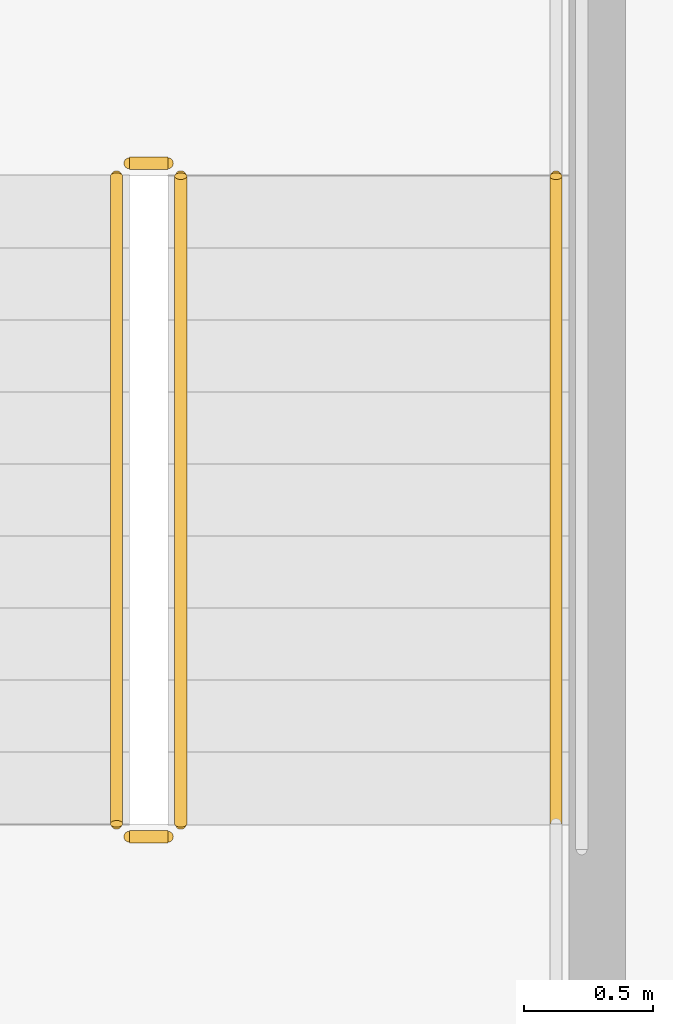
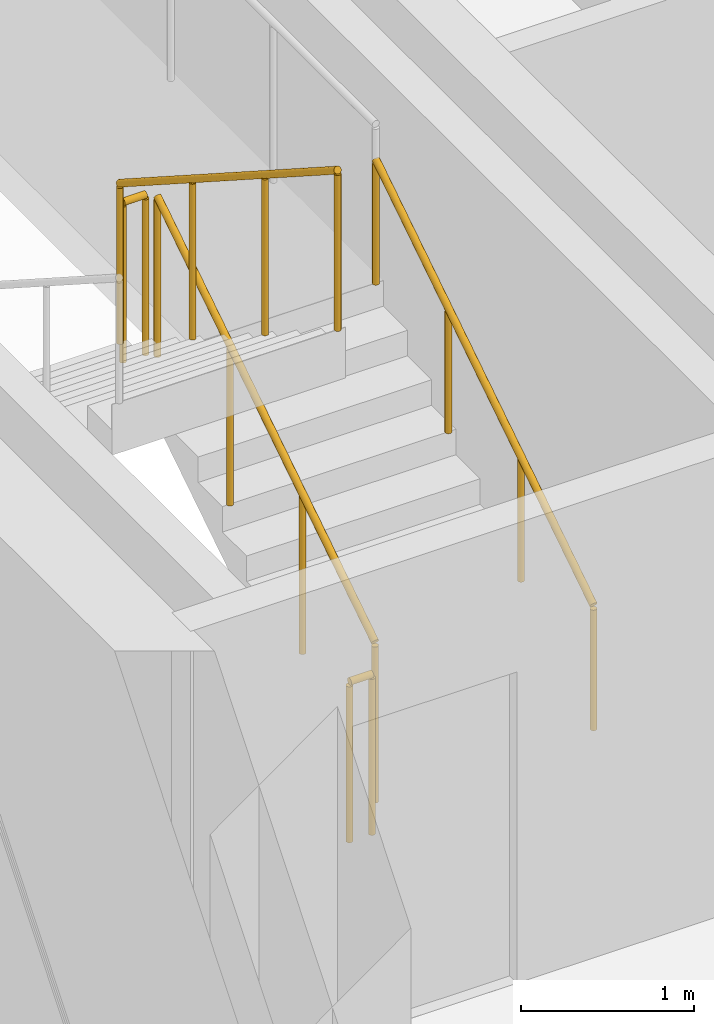
# One storey, part 13 of 15: 5 railings.
"""IFC4 building model written with IfcOpenShell, lengths in metres."""

from ifc_helpers import new_model, si_unit, direction, frame, origin, origin_2d, place, context, subcontext, project, spatial, circle, extrude, material, type_object, element, save


model = new_model("IFC4")

# Units and contexts
model_context = context("Model", 3, precision=1e-05, world=origin(), true_north=direction((0.0, 1.0)))
body_context = subcontext(model_context, "Body", "Model", "MODEL_VIEW")
ifc_project = project(units=[si_unit("LENGTHUNIT", "METRE"), si_unit("AREAUNIT", "SQUARE_METRE"), si_unit("VOLUMEUNIT", "CUBIC_METRE"), si_unit("PLANEANGLEUNIT", "RADIAN"), si_unit("MASSUNIT", "GRAM", prefix="KILO")], contexts=[model_context])

# Site, building, storey
site_placement = place(None, origin())
site = spatial("IfcSite", under=ifc_project, at=site_placement, CompositionType="ELEMENT")
building_placement = place(site_placement, origin())
building = spatial("IfcBuilding", under=site, at=building_placement, Name="Khairoan Windgate Tower", CompositionType="ELEMENT")
storey_placement = place(building_placement, frame((0.0, 0.0, 269.199951171875)))
storey = spatial("IfcBuildingStorey", under=building, at=storey_placement, Name="L64", CompositionType="ELEMENT", Elevation=269.199951171875)

# Railings
ifc_material_1 = material(Name="Anodised Bronze Aluminium 6063-T6", Category="aluminium")
railing_type_1 = type_object("IfcRailingType", Name="Stair Wall Handrail SHR-900", PredefinedType="HANDRAIL", material=ifc_material_1)
railing_1_placement = place(storey_placement, frame((-16.199951171875, 2.9599609375, 0.179931640625)))
element("IfcRailing", 1, at=railing_1_placement, inside=storey, type_object=railing_type_1, Name="L64 ST2 stair handrail 1", PredefinedType="HANDRAIL", context=body_context, shape_type="SweptSolid", body=[
    extrude(circle(Radius=0.02392578125, at=origin_2d()), frame((0.0, 0.0, 0.8759765625), z_axis=(0.0, 0.841162588446, 0.540782303519), x_axis=(-1.0, 0.0, 0.0)), (0.0, 0.0, 1.0), 2.995849609375),
    extrude(circle(Radius=0.02099609375, at=origin_2d()), origin(), (0.0, 0.0, 1.0), 0.851806640625),
    extrude(circle(Radius=0.02099609375, at=origin_2d()), frame((0.0, 0.840087890625, 0.5400390625)), (0.0, 0.0, 1.0), 0.851806640625),
    extrude(circle(Radius=0.02099609375, at=origin_2d()), frame((0.0, 1.679931640625, 1.080078125)), (0.0, 0.0, 1.0), 0.851806640625),
    extrude(circle(Radius=0.02099609375, at=origin_2d()), frame((0.0, 2.52001953125, 1.6201171875)), (0.0, 0.0, 1.0), 0.851806640625),
])
ifc_material_2 = material(Name="Steel S355", Category="steel")
railing_type_2 = type_object("IfcRailingType", Name="Stairwell Safety Guardrail SGR-1150", PredefinedType="GUARDRAIL", material=ifc_material_2)
railing_2_placement = place(storey_placement, frame((-17.659912109375, 2.9599609375, 0.179931640625)))
element("IfcRailing", 2, at=railing_2_placement, inside=storey, type_object=railing_type_2, Name="L64 ST2 stair guard 1", PredefinedType="GUARDRAIL", context=body_context, shape_type="SweptSolid", body=[
    extrude(circle(Radius=0.02392578125, at=origin_2d()), frame((0.0, 0.0, 1.1259765625), z_axis=(0.0, 0.841162588446, 0.540782303519), x_axis=(-1.0, 0.0, 0.0)), (0.0, 0.0, 1.0), 2.995849609375),
    extrude(circle(Radius=0.02099609375, at=origin_2d()), origin(), (0.0, 0.0, 1.0), 1.101806640625),
    extrude(circle(Radius=0.02099609375, at=origin_2d()), frame((0.0, 0.840087890625, 0.5400390625)), (0.0, 0.0, 1.0), 1.101806640625),
    extrude(circle(Radius=0.02099609375, at=origin_2d()), frame((0.0, 1.679931640625, 1.080078125)), (0.0, 0.0, 1.0), 1.101806640625),
    extrude(circle(Radius=0.02099609375, at=origin_2d()), frame((0.0, 2.52001953125, 1.6201171875)), (0.0, 0.0, 1.0), 1.101806640625),
])
railing_3_placement = place(storey_placement, frame((-17.7099609375, 5.530029296875, 1.800048828125)))
element("IfcRailing", 3, at=railing_3_placement, inside=storey, type_object=railing_type_2, Name="L64 ST2 stair guard 2", PredefinedType="GUARDRAIL", context=body_context, shape_type="SweptSolid", body=[
    extrude(circle(Radius=0.02392578125, at=origin_2d()), frame((0.0, 0.0, 1.1259765625), z_axis=(-1.0, 0.0, 0.0), x_axis=(0.0, -1.0, 0.0)), (0.0, 0.0, 1.0), 0.150146484375),
    extrude(circle(Radius=0.02099609375, at=origin_2d()), origin(), (0.0, 0.0, 1.0), 1.101806640625),
    extrude(circle(Radius=0.02099609375, at=origin_2d()), frame((-0.150146484375, 0.0, 0.0)), (0.0, 0.0, 1.0), 1.101806640625),
])
railing_4_placement = place(storey_placement, frame((-17.909912109375, 5.47998046875, 1.97998046875)))
element("IfcRailing", 4, at=railing_4_placement, inside=storey, type_object=railing_type_2, Name="L64 ST2 stair guard 6", PredefinedType="GUARDRAIL", context=body_context, shape_type="SweptSolid", body=[
    extrude(circle(Radius=0.02392578125, at=origin_2d()), frame((0.0, 0.0, 1.1259765625), z_axis=(0.0, -0.841162588446, 0.540782303519), x_axis=(1.0, 0.0, 0.0)), (0.0, 0.0, 1.0), 2.995849609375),
    extrude(circle(Radius=0.02099609375, at=origin_2d()), origin(), (0.0, 0.0, 1.0), 1.101806640625),
    extrude(circle(Radius=0.02099609375, at=origin_2d()), frame((0.0, -0.840087890625, 0.5400390625)), (0.0, 0.0, 1.0), 1.101806640625),
    extrude(circle(Radius=0.02099609375, at=origin_2d()), frame((0.0, -1.679931640625, 1.080078125)), (0.0, 0.0, 1.0), 1.101806640625),
    extrude(circle(Radius=0.02099609375, at=origin_2d()), frame((0.0, -2.52001953125, 1.6201171875)), (0.0, 0.0, 1.0), 1.101806640625),
])
railing_5_placement = place(storey_placement, frame((-17.7099609375, 2.909912109375, 0.0)))
element("IfcRailing", 5, at=railing_5_placement, inside=storey, type_object=railing_type_2, Name="L64 ST2 stair guard 7", PredefinedType="GUARDRAIL", context=body_context, shape_type="SweptSolid", body=[
    extrude(circle(Radius=0.02392578125, at=origin_2d()), frame((0.0, 0.0, 1.1259765625), z_axis=(-1.0, 0.0, 0.0), x_axis=(0.0, -1.0, 0.0)), (0.0, 0.0, 1.0), 0.150146484375),
    extrude(circle(Radius=0.02099609375, at=origin_2d()), origin(), (0.0, 0.0, 1.0), 1.101806640625),
    extrude(circle(Radius=0.02099609375, at=origin_2d()), frame((-0.150146484375, 0.0, 0.0)), (0.0, 0.0, 1.0), 1.101806640625),
])

save(model, "model.ifc")
